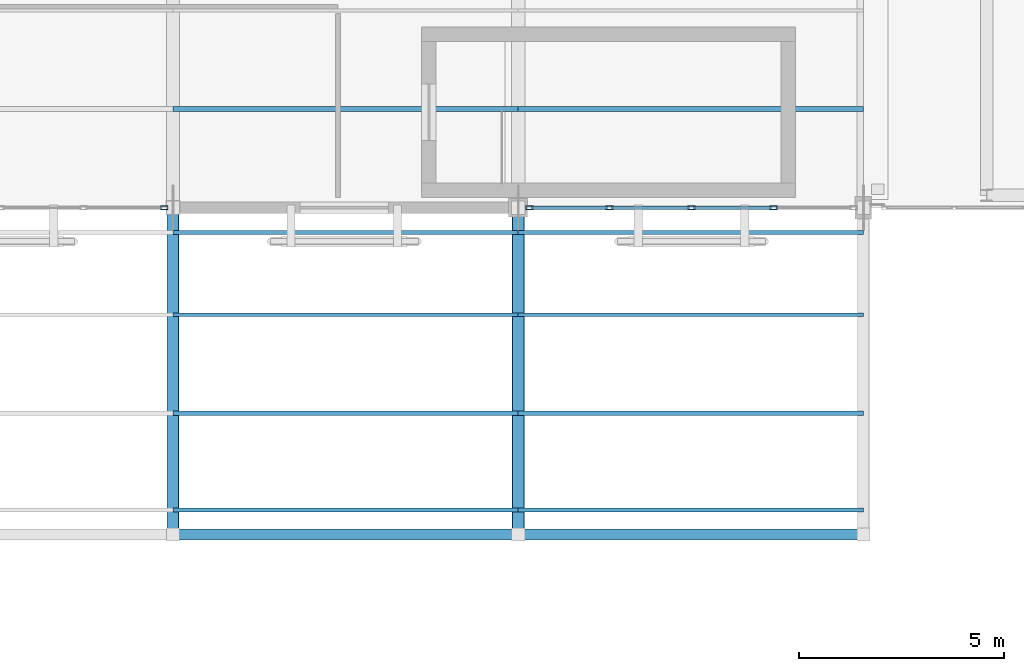
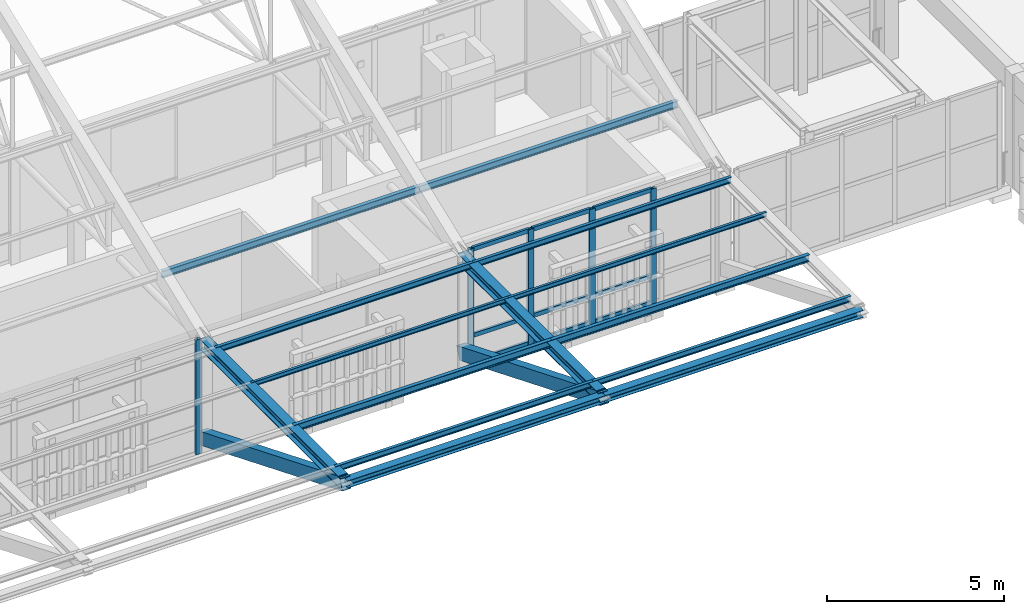
# One storey, part 95 of 217: 28 members, 2 beams, 2 elements without a shape of their own.
"""IFC4 building model written with IfcOpenShell, lengths in metres."""

from ifc_helpers import new_model, si_unit, direction, frame, origin, origin_2d, place, context, subcontext, project, spatial, rectangle, hollow_rectangle, i_section, extrude, material, layer, layer_set, material_profile, profile_set, type_object, element, aggregate, save


model = new_model("IFC4")

# Units and contexts
model_context = context("Model", 3, precision=1e-05, world=origin(), true_north=direction((0.0, 1.0)))
body_context = subcontext(model_context, "Body", "Model", "MODEL_VIEW")
ifc_project = project(units=[si_unit("LENGTHUNIT", "METRE"), si_unit("AREAUNIT", "SQUARE_METRE"), si_unit("VOLUMEUNIT", "CUBIC_METRE"), si_unit("PLANEANGLEUNIT", "RADIAN"), si_unit("MASSUNIT", "GRAM", prefix="KILO")], contexts=[model_context])

# Site, building, storey
site_placement = place(None, origin())
site = spatial("IfcSite", under=ifc_project, at=site_placement, CompositionType="ELEMENT")
building_placement = place(site_placement, origin())
building = spatial("IfcBuilding", under=site, at=building_placement, Name="Mazaris Harbour Polytechnic", CompositionType="ELEMENT")
storey_placement = place(building_placement, frame((0.0, 0.0, 9.60009765625)))
storey = spatial("IfcBuildingStorey", under=building, at=storey_placement, Name="L02", CompositionType="ELEMENT", Elevation=9.60009765625)

# Curtain wall, member
ifc_material_1 = material(Name="Anodised Bronze Aluminium and Low-E Glass", Category="aluminium")
ifc_layer = layer(ifc_material_1, 0.14990234375, Name="Anodised Bronze Aluminium and Low-E Glass")
ifc_layer_set = layer_set([ifc_layer], Name="Anodised Bronze Aluminium and Low-E Glass")
curtain_wall_type = type_object("IfcCurtainWallType", Name="Workshop Clerestory Curtain Wall", PredefinedType="NOTDEFINED", material=ifc_layer_set)
curtain_wall_1_placement = place(storey_placement, origin())
curtain_wall_1 = element("IfcCurtainWall", 1, at=curtain_wall_1_placement, inside=storey, type_object=curtain_wall_type, Name="V1 L02 Curtain Wall 27", PredefinedType="NOTDEFINED")
ifc_material_2 = material(Name="Anodised Bronze Steel S355", Category="steel")
ifc_material_profile_1 = material_profile(ifc_material_2, hollow_rectangle(XDim=0.10009765625, YDim=0.179931640625, WallThickness=0.008056640625, at=origin_2d()), Name="RHS 100x180x8.0")
ifc_profile_set_1 = profile_set([ifc_material_profile_1], Name="Anodised Bronze Steel S355")
member_type_1 = type_object("IfcMemberType", Name="Curtain Mullion RHS100x180", PredefinedType="MULLION", material=ifc_profile_set_1)
member_1_placement = place(storey_placement, frame((95.7880859375, 75.60009765625, 0.0), z_axis=(0.0, 0.0, 1.0), x_axis=(0.0, -1.0, 0.0)))
member_1 = element("IfcMember", 2, at=member_1_placement, type_object=member_type_1, Name="CW-04 mullion 1", PredefinedType="MULLION", context=body_context, shape_type="SweptSolid", body=[
    extrude(hollow_rectangle(XDim=0.10009765625, YDim=0.179931640625, WallThickness=0.008056640625, at=origin_2d()), origin(), (0.0, 0.0, 1.0), 3.9599609375),
])
aggregate(curtain_wall_1, [member_1])

# Curtain wall, members
curtain_wall_2_placement = place(storey_placement, origin())
curtain_wall_2 = element("IfcCurtainWall", 3, at=curtain_wall_2_placement, inside=storey, type_object=curtain_wall_type, Name="V1 L02 Curtain Wall 28", PredefinedType="NOTDEFINED")
member_2_placement = place(storey_placement, frame((110.611572265625, 75.60009765625, 0.0), z_axis=(0.0, 0.0, 1.0), x_axis=(0.0, -1.0, 0.0)))
member_2 = element("IfcMember", 4, at=member_2_placement, type_object=member_type_1, Name="CW-04 mullion 2", PredefinedType="MULLION", context=body_context, shape_type="SweptSolid", body=[
    extrude(hollow_rectangle(XDim=0.10009765625, YDim=0.179931640625, WallThickness=0.008056640625, at=origin_2d()), origin(), (0.0, 0.0, 1.0), 3.9599609375),
])
member_3_placement = place(storey_placement, frame((108.614990234375, 75.60009765625, 0.0), z_axis=(0.0, 0.0, 1.0), x_axis=(0.0, -1.0, 0.0)))
member_3 = element("IfcMember", 5, at=member_3_placement, type_object=member_type_1, Name="CW-04 mullion 3", PredefinedType="MULLION", context=body_context, shape_type="SweptSolid", body=[
    extrude(hollow_rectangle(XDim=0.10009765625, YDim=0.179931640625, WallThickness=0.008056640625, at=origin_2d()), origin(), (0.0, 0.0, 1.0), 3.9599609375),
])
member_4_placement = place(storey_placement, frame((106.618408203125, 75.60009765625, 0.0), z_axis=(0.0, 0.0, 1.0), x_axis=(0.0, -1.0, 0.0)))
member_4 = element("IfcMember", 6, at=member_4_placement, type_object=member_type_1, Name="CW-04 mullion 4", PredefinedType="MULLION", context=body_context, shape_type="SweptSolid", body=[
    extrude(hollow_rectangle(XDim=0.10009765625, YDim=0.179931640625, WallThickness=0.008056640625, at=origin_2d()), origin(), (0.0, 0.0, 1.0), 3.9599609375),
])
member_5_placement = place(storey_placement, frame((104.672119140625, 75.60009765625, 0.0), z_axis=(0.0, 0.0, 1.0), x_axis=(0.0, -1.0, 0.0)))
member_5 = element("IfcMember", 7, at=member_5_placement, type_object=member_type_1, Name="CW-04 mullion 5", PredefinedType="MULLION", context=body_context, shape_type="SweptSolid", body=[
    extrude(hollow_rectangle(XDim=0.10009765625, YDim=0.179931640625, WallThickness=0.008056640625, at=origin_2d()), origin(), (0.0, 0.0, 1.0), 3.9599609375),
])
ifc_material_3 = material(Name="Anodised Bronze Steel S355", Category="steel")
ifc_material_profile_2 = material_profile(ifc_material_3, hollow_rectangle(XDim=0.080078125, YDim=0.139892578125, WallThickness=0.00634765625, at=origin_2d()), Name="RHS 80x140x6.3")
ifc_profile_set_2 = profile_set([ifc_material_profile_2], Name="Anodised Bronze Steel S355")
member_type_2 = type_object("IfcMemberType", Name="Curtain Transom RHS80x140", PredefinedType="USERDEFINED", material=ifc_profile_set_2)
member_6_placement = place(storey_placement, frame((110.5615234375, 75.60009765625, 0.039794921875), z_axis=(-1.0, 0.0, 0.0), x_axis=(0.0, -1.0, 0.0)))
member_6 = element("IfcMember", 8, at=member_6_placement, type_object=member_type_2, Name="CW-04 transom 2.1", ObjectType="TRANSOM", PredefinedType="USERDEFINED", context=body_context, shape_type="SweptSolid", body=[
    extrude(hollow_rectangle(XDim=0.080078125, YDim=0.139892578125, WallThickness=0.00634765625, at=origin_2d()), origin(), (0.0, 0.0, 1.0), 1.896484375),
])
member_7_placement = place(storey_placement, frame((110.5615234375, 75.60009765625, 0.949951171875), z_axis=(-1.0, 0.0, 0.0), x_axis=(0.0, -1.0, 0.0)))
member_7 = element("IfcMember", 9, at=member_7_placement, type_object=member_type_2, Name="CW-04 transom 2.2", ObjectType="TRANSOM", PredefinedType="USERDEFINED", context=body_context, shape_type="SweptSolid", body=[
    extrude(hollow_rectangle(XDim=0.080078125, YDim=0.139892578125, WallThickness=0.00634765625, at=origin_2d()), origin(), (0.0, 0.0, 1.0), 1.896484375),
])
member_8_placement = place(storey_placement, frame((110.5615234375, 75.60009765625, 3.919921875), z_axis=(-1.0, 0.0, 0.0), x_axis=(0.0, -1.0, 0.0)))
member_8 = element("IfcMember", 10, at=member_8_placement, type_object=member_type_2, Name="CW-04 transom 2.3", ObjectType="TRANSOM", PredefinedType="USERDEFINED", context=body_context, shape_type="SweptSolid", body=[
    extrude(hollow_rectangle(XDim=0.080078125, YDim=0.139892578125, WallThickness=0.00634765625, at=origin_2d()), origin(), (0.0, 0.0, 1.0), 1.896484375),
])
member_9_placement = place(storey_placement, frame((108.56494140625, 75.60009765625, 0.039794921875), z_axis=(-1.0, 0.0, 0.0), x_axis=(0.0, -1.0, 0.0)))
member_9 = element("IfcMember", 11, at=member_9_placement, type_object=member_type_2, Name="CW-04 transom 3.1", ObjectType="TRANSOM", PredefinedType="USERDEFINED", context=body_context, shape_type="SweptSolid", body=[
    extrude(hollow_rectangle(XDim=0.080078125, YDim=0.139892578125, WallThickness=0.00634765625, at=origin_2d()), origin(), (0.0, 0.0, 1.0), 1.896484375),
])
member_10_placement = place(storey_placement, frame((108.56494140625, 75.60009765625, 0.949951171875), z_axis=(-1.0, 0.0, 0.0), x_axis=(0.0, -1.0, 0.0)))
member_10 = element("IfcMember", 12, at=member_10_placement, type_object=member_type_2, Name="CW-04 transom 3.2", ObjectType="TRANSOM", PredefinedType="USERDEFINED", context=body_context, shape_type="SweptSolid", body=[
    extrude(hollow_rectangle(XDim=0.080078125, YDim=0.139892578125, WallThickness=0.00634765625, at=origin_2d()), origin(), (0.0, 0.0, 1.0), 1.896484375),
])
member_11_placement = place(storey_placement, frame((108.56494140625, 75.60009765625, 3.919921875), z_axis=(-1.0, 0.0, 0.0), x_axis=(0.0, -1.0, 0.0)))
member_11 = element("IfcMember", 13, at=member_11_placement, type_object=member_type_2, Name="CW-04 transom 3.3", ObjectType="TRANSOM", PredefinedType="USERDEFINED", context=body_context, shape_type="SweptSolid", body=[
    extrude(hollow_rectangle(XDim=0.080078125, YDim=0.139892578125, WallThickness=0.00634765625, at=origin_2d()), origin(), (0.0, 0.0, 1.0), 1.896484375),
])
member_12_placement = place(storey_placement, frame((106.568603515625, 75.60009765625, 0.039794921875), z_axis=(-1.0, 0.0, 0.0), x_axis=(0.0, -1.0, 0.0)))
member_12 = element("IfcMember", 14, at=member_12_placement, type_object=member_type_2, Name="CW-04 transom 4.1", ObjectType="TRANSOM", PredefinedType="USERDEFINED", context=body_context, shape_type="SweptSolid", body=[
    extrude(hollow_rectangle(XDim=0.080078125, YDim=0.139892578125, WallThickness=0.00634765625, at=origin_2d()), origin(), (0.0, 0.0, 1.0), 1.8466796875),
])
member_13_placement = place(storey_placement, frame((106.568603515625, 75.60009765625, 0.949951171875), z_axis=(-1.0, 0.0, 0.0), x_axis=(0.0, -1.0, 0.0)))
member_13 = element("IfcMember", 15, at=member_13_placement, type_object=member_type_2, Name="CW-04 transom 4.2", ObjectType="TRANSOM", PredefinedType="USERDEFINED", context=body_context, shape_type="SweptSolid", body=[
    extrude(hollow_rectangle(XDim=0.080078125, YDim=0.139892578125, WallThickness=0.00634765625, at=origin_2d()), origin(), (0.0, 0.0, 1.0), 1.8466796875),
])
member_14_placement = place(storey_placement, frame((106.568603515625, 75.60009765625, 3.919921875), z_axis=(-1.0, 0.0, 0.0), x_axis=(0.0, -1.0, 0.0)))
member_14 = element("IfcMember", 16, at=member_14_placement, type_object=member_type_2, Name="CW-04 transom 4.3", ObjectType="TRANSOM", PredefinedType="USERDEFINED", context=body_context, shape_type="SweptSolid", body=[
    extrude(hollow_rectangle(XDim=0.080078125, YDim=0.139892578125, WallThickness=0.00634765625, at=origin_2d()), origin(), (0.0, 0.0, 1.0), 1.8466796875),
])
aggregate(curtain_wall_2, [member_2, member_3, member_4, member_5, member_6, member_7, member_8, member_9, member_10, member_11, member_12, member_13, member_14])

# Members
ifc_material_4 = material(Name="Glulam GL32h", Category="wood")
ifc_material_profile_3 = material_profile(ifc_material_4, rectangle(XDim=0.280029296875, YDim=0.43994140625, at=origin_2d()), Name="RECT280x440")
ifc_profile_set_3 = profile_set([ifc_material_profile_3], Name="Glulam GL32h")
member_type_3 = type_object("IfcMemberType", Name="Glulam Raking Strut 280x440", PredefinedType="BRACE", material=ifc_profile_set_3)
for number, where, z_axis, x_axis, name in (
    (17, (96.0, 75.60009765625, 0.5), (0.0, -0.925642918598, 0.378398186107), (1.0, 0.0, 0.0), "Truss 6 South Eave Raking Strut"),
    (18, (104.39990234375, 75.60009765625, 0.5), (0.0, -0.925642918598, 0.378398186107), (1.0, 0.0, 0.0), "Truss 7 South Eave Raking Strut"),
):
    element("IfcMember", number, at=place(storey_placement, frame(where, z_axis=z_axis, x_axis=x_axis)), inside=storey, type_object=member_type_3, Name=name, PredefinedType="BRACE", context=body_context, shape_type="SweptSolid", body=[
        extrude(rectangle(XDim=0.280029296875, YDim=0.43994140625, at=origin_2d()), origin(), (0.0, 0.0, 1.0), 8.5888671875),
    ])

# Beams
ifc_material_5 = material(Name="Steel S355", Category="steel")
ifc_material_profile_4 = material_profile(ifc_material_5, i_section(OverallWidth=0.260009765625, OverallDepth=0.25, WebThickness=0.007568359375, FlangeThickness=0.012451171875, FilletRadius=0.02392578125, at=origin_2d()), Name="HEA 260")
ifc_profile_set_4 = profile_set([ifc_material_profile_4], Name="Steel S355")
beam_type = type_object("IfcBeamType", Name="Steel Beam HEA260 Exterior", PredefinedType="SPANDREL", material=ifc_profile_set_4)
beam_1_placement = place(storey_placement, frame((96.0, 67.64990234375, 3.75), z_axis=(1.0, 0.0, 0.0), x_axis=(0.0, 1.0, 0.0)))
element("IfcBeam", 19, at=beam_1_placement, inside=storey, type_object=beam_type, Name="V1 Eave Fascia Beam 6", PredefinedType="SPANDREL", context=body_context, shape_type="SweptSolid", body=[
    extrude(i_section(OverallWidth=0.260009765625, OverallDepth=0.25, WebThickness=0.007568359375, FlangeThickness=0.012451171875, FilletRadius=0.02392578125, at=origin_2d()), origin(), (0.0, 0.0, 1.0), 8.39990234375),
])
beam_2_placement = place(storey_placement, frame((104.39990234375, 67.64990234375, 3.75), z_axis=(1.0, 0.0, 0.0), x_axis=(0.0, 1.0, 0.0)))
element("IfcBeam", 20, at=beam_2_placement, inside=storey, type_object=beam_type, Name="V1 Eave Fascia Beam 7", PredefinedType="SPANDREL", context=body_context, shape_type="SweptSolid", body=[
    extrude(i_section(OverallWidth=0.260009765625, OverallDepth=0.25, WebThickness=0.007568359375, FlangeThickness=0.012451171875, FilletRadius=0.02392578125, at=origin_2d()), origin(), (0.0, 0.0, 1.0), 8.400146484375),
])

# Members
ifc_material_6 = material(Name="Steel S355", Category="steel")
ifc_material_profile_5 = material_profile(ifc_material_6, i_section(OverallWidth=0.300048828125, OverallDepth=0.360107421875, WebThickness=0.012451171875, FlangeThickness=0.0224609375, FilletRadius=0.027099609375, at=origin_2d()), Name="HEB 360")
ifc_profile_set_5 = profile_set([ifc_material_profile_5], Name="Steel S355")
member_type_4 = type_object("IfcMemberType", Name="Steel Eave Cantilever HEB360", PredefinedType="CHORD", material=ifc_profile_set_5)
for number, where, z_axis, x_axis, name in (
    (21, (96.0, 75.60009765625, 3.75), (0.0, -1.0, 0.0), (1.0, 0.0, 0.0), "Truss 6 South Overhanging Eave Chord"),
    (22, (104.39990234375, 75.60009765625, 3.75), (0.0, -1.0, 0.0), (1.0, 0.0, 0.0), "Truss 7 South Overhanging Eave Chord"),
):
    element("IfcMember", number, at=place(storey_placement, frame(where, z_axis=z_axis, x_axis=x_axis)), inside=storey, type_object=member_type_4, Name=name, PredefinedType="CHORD", context=body_context, shape_type="SweptSolid", body=[
        extrude(i_section(OverallWidth=0.300048828125, OverallDepth=0.360107421875, WebThickness=0.012451171875, FlangeThickness=0.0224609375, FilletRadius=0.027099609375, at=origin_2d()), origin(), (0.0, 0.0, 1.0), 7.9501953125),
    ])
ifc_material_7 = material(Name="Steel S355", Category="steel")
ifc_material_profile_6 = material_profile(ifc_material_7, i_section(OverallWidth=0.08203125, OverallDepth=0.159912109375, WebThickness=0.0048828125, FlangeThickness=0.00732421875, FilletRadius=0.009033203125, at=origin_2d()), Name="IPE 160")
ifc_profile_set_6 = profile_set([ifc_material_profile_6], Name="Steel S355")
member_type_5 = type_object("IfcMemberType", Name="Steel Purlin IPE160 Exterior", PredefinedType="PURLIN", material=ifc_profile_set_6)
member_15_placement = place(storey_placement, frame((96.0, 73.0, 3.875), z_axis=(1.0, 0.0, 0.0), x_axis=(0.0, 1.0, 0.0)))
element("IfcMember", 23, at=member_15_placement, inside=storey, type_object=member_type_5, Name="V1 Roof Purlin S-108", PredefinedType="PURLIN", context=body_context, shape_type="SweptSolid", body=[
    extrude(i_section(OverallWidth=0.08203125, OverallDepth=0.159912109375, WebThickness=0.0048828125, FlangeThickness=0.00732421875, FilletRadius=0.009033203125, at=origin_2d()), origin(), (0.0, 0.0, 1.0), 8.39990234375),
])
member_16_placement = place(storey_placement, frame((104.39990234375, 73.0, 3.875), z_axis=(1.0, 0.0, 0.0), x_axis=(0.0, 1.0, 0.0)))
element("IfcMember", 24, at=member_16_placement, inside=storey, type_object=member_type_5, Name="V1 Roof Purlin S-129", PredefinedType="PURLIN", context=body_context, shape_type="SweptSolid", body=[
    extrude(i_section(OverallWidth=0.08203125, OverallDepth=0.159912109375, WebThickness=0.0048828125, FlangeThickness=0.00732421875, FilletRadius=0.009033203125, at=origin_2d()), origin(), (0.0, 0.0, 1.0), 8.400146484375),
])
ifc_material_8 = material(Name="Steel S355", Category="steel")
ifc_material_profile_7 = material_profile(ifc_material_8, i_section(OverallWidth=0.10009765625, OverallDepth=0.199951171875, WebThickness=0.005615234375, FlangeThickness=0.008544921875, FilletRadius=0.011962890625, at=origin_2d()), Name="IPE 200")
ifc_profile_set_7 = profile_set([ifc_material_profile_7], Name="Steel S355")
member_type_6 = type_object("IfcMemberType", Name="Steel Purlin IPE200 Exterior", PredefinedType="PURLIN", material=ifc_profile_set_7)
for number, where, z_axis, x_axis, name in (
    (25, (96.0, 68.25, 3.85498046875), (1.0, 0.0, 0.0), (0.0, 1.0, 0.0), "V1 Roof Purlin S-106"),
    (26, (96.0, 75.0, 3.85498046875), (1.0, 0.0, 0.0), (0.0, 1.0, 0.0), "V1 Roof Purlin S-109"),
):
    element("IfcMember", number, at=place(storey_placement, frame(where, z_axis=z_axis, x_axis=x_axis)), inside=storey, type_object=member_type_6, Name=name, PredefinedType="PURLIN", context=body_context, shape_type="SweptSolid", body=[
        extrude(i_section(OverallWidth=0.10009765625, OverallDepth=0.199951171875, WebThickness=0.005615234375, FlangeThickness=0.008544921875, FilletRadius=0.011962890625, at=origin_2d()), origin(), (0.0, 0.0, 1.0), 8.39990234375),
    ])
for number, where, z_axis, x_axis, name in (
    (27, (104.39990234375, 68.25, 3.85498046875), (1.0, 0.0, 0.0), (0.0, 1.0, 0.0), "V1 Roof Purlin S-127"),
    (28, (104.39990234375, 75.0, 3.85498046875), (1.0, 0.0, 0.0), (0.0, 1.0, 0.0), "V1 Roof Purlin S-130"),
):
    element("IfcMember", number, at=place(storey_placement, frame(where, z_axis=z_axis, x_axis=x_axis)), inside=storey, type_object=member_type_6, Name=name, PredefinedType="PURLIN", context=body_context, shape_type="SweptSolid", body=[
        extrude(i_section(OverallWidth=0.10009765625, OverallDepth=0.199951171875, WebThickness=0.005615234375, FlangeThickness=0.008544921875, FilletRadius=0.011962890625, at=origin_2d()), origin(), (0.0, 0.0, 1.0), 8.400146484375),
    ])
ifc_material_9 = material(Name="Steel S355", Category="steel")
ifc_material_profile_8 = material_profile(ifc_material_9, i_section(OverallWidth=0.1201171875, OverallDepth=0.239990234375, WebThickness=0.006103515625, FlangeThickness=0.009765625, FilletRadius=0.014892578125, at=origin_2d()), Name="IPE 240")
ifc_profile_set_8 = profile_set([ifc_material_profile_8], Name="Steel S355")
member_type_7 = type_object("IfcMemberType", Name="Steel Purlin IPE240", PredefinedType="PURLIN", material=ifc_profile_set_8)
member_17_placement = place(storey_placement, frame((96.0, 78.0, 4.651123046875), z_axis=(1.0, 0.0, 0.0), x_axis=(0.0, 1.0, 0.0)))
element("IfcMember", 29, at=member_17_placement, inside=storey, type_object=member_type_7, Name="V1 Roof Purlin S-110", PredefinedType="PURLIN", context=body_context, shape_type="SweptSolid", body=[
    extrude(i_section(OverallWidth=0.1201171875, OverallDepth=0.239990234375, WebThickness=0.006103515625, FlangeThickness=0.009765625, FilletRadius=0.014892578125, at=origin_2d()), origin(), (0.0, 0.0, 1.0), 8.39990234375),
])
member_18_placement = place(storey_placement, frame((104.39990234375, 78.0, 4.651123046875), z_axis=(1.0, 0.0, 0.0), x_axis=(0.0, 1.0, 0.0)))
element("IfcMember", 30, at=member_18_placement, inside=storey, type_object=member_type_7, Name="V1 Roof Purlin S-131", PredefinedType="PURLIN", context=body_context, shape_type="SweptSolid", body=[
    extrude(i_section(OverallWidth=0.1201171875, OverallDepth=0.239990234375, WebThickness=0.006103515625, FlangeThickness=0.009765625, FilletRadius=0.014892578125, at=origin_2d()), origin(), (0.0, 0.0, 1.0), 8.400146484375),
])
ifc_material_10 = material(Name="Steel S355", Category="steel")
ifc_material_profile_9 = material_profile(ifc_material_10, i_section(OverallWidth=0.1201171875, OverallDepth=0.239990234375, WebThickness=0.006103515625, FlangeThickness=0.009765625, FilletRadius=0.014892578125, at=origin_2d()), Name="IPE 240")
ifc_profile_set_9 = profile_set([ifc_material_profile_9], Name="Steel S355")
member_type_8 = type_object("IfcMemberType", Name="Steel Purlin IPE240 Exterior", PredefinedType="PURLIN", material=ifc_profile_set_9)
member_19_placement = place(storey_placement, frame((96.0, 70.60009765625, 3.8349609375), z_axis=(1.0, 0.0, 0.0), x_axis=(0.0, 1.0, 0.0)))
element("IfcMember", 31, at=member_19_placement, inside=storey, type_object=member_type_8, Name="V1 Roof Purlin S-107", PredefinedType="PURLIN", context=body_context, shape_type="SweptSolid", body=[
    extrude(i_section(OverallWidth=0.1201171875, OverallDepth=0.239990234375, WebThickness=0.006103515625, FlangeThickness=0.009765625, FilletRadius=0.014892578125, at=origin_2d()), origin(), (0.0, 0.0, 1.0), 8.39990234375),
])
member_20_placement = place(storey_placement, frame((104.39990234375, 70.60009765625, 3.8349609375), z_axis=(1.0, 0.0, 0.0), x_axis=(0.0, 1.0, 0.0)))
element("IfcMember", 32, at=member_20_placement, inside=storey, type_object=member_type_8, Name="V1 Roof Purlin S-128", PredefinedType="PURLIN", context=body_context, shape_type="SweptSolid", body=[
    extrude(i_section(OverallWidth=0.1201171875, OverallDepth=0.239990234375, WebThickness=0.006103515625, FlangeThickness=0.009765625, FilletRadius=0.014892578125, at=origin_2d()), origin(), (0.0, 0.0, 1.0), 8.400146484375),
])

save(model, "model.ifc")
